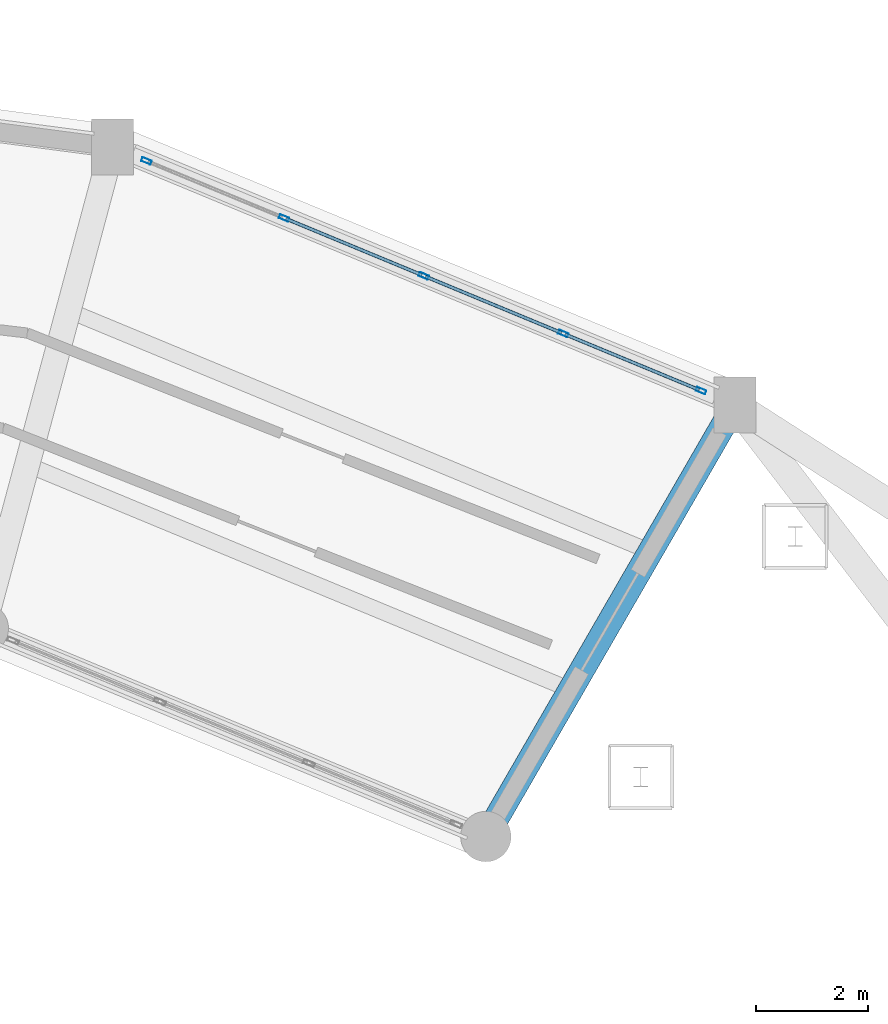
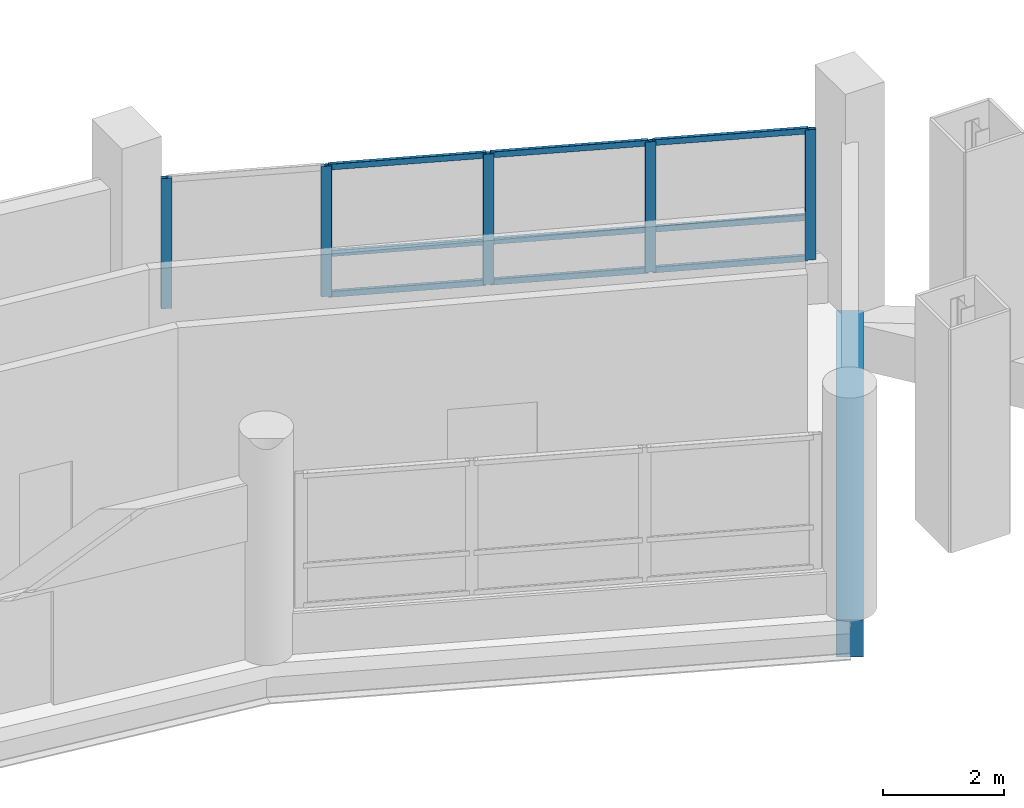
# One storey, part 64 of 129: 14 members, 1 beam, 1 element without a shape of its own.
"""IFC4 building model written with IfcOpenShell, lengths in metres."""

from ifc_helpers import new_model, si_unit, direction, frame, origin, origin_2d, place, context, subcontext, project, spatial, rectangle, hollow_rectangle, extrude, material, layer, layer_set, material_profile, profile_set, type_object, element, aggregate, save


model = new_model("IFC4")

# Units and contexts
model_context = context("Model", 3, precision=1e-05, world=origin(), true_north=direction((0.0, 1.0)))
body_context = subcontext(model_context, "Body", "Model", "MODEL_VIEW")
ifc_project = project(units=[si_unit("LENGTHUNIT", "METRE"), si_unit("AREAUNIT", "SQUARE_METRE"), si_unit("VOLUMEUNIT", "CUBIC_METRE"), si_unit("PLANEANGLEUNIT", "RADIAN"), si_unit("MASSUNIT", "GRAM", prefix="KILO")], contexts=[model_context])

# Site, building, storey
site_placement = place(None, origin())
site = spatial("IfcSite", under=ifc_project, at=site_placement, CompositionType="ELEMENT")
building_placement = place(site_placement, origin())
building = spatial("IfcBuilding", under=site, at=building_placement, Name="Vespera Passage Community Centre", CompositionType="ELEMENT")
storey_placement = place(building_placement, origin())
storey = spatial("IfcBuildingStorey", under=building, at=storey_placement, Name="L00", CompositionType="ELEMENT", Elevation=0.0)

# Beam
ifc_material_1 = material(Name="Concrete f'c 35 MPa", Category="concrete")
ifc_material_profile_1 = material_profile(ifc_material_1, rectangle(XDim=0.449951171875, YDim=0.75, at=origin_2d()), Name="RC450X750")
ifc_profile_set_1 = profile_set([ifc_material_profile_1], Name="Concrete f'c 35 MPa")
beam_type = type_object("IfcBeamType", Name="BM-G-450X750", PredefinedType="BEAM", material=ifc_profile_set_1)
beam_placement = place(storey_placement, frame((96.60009765625, 97.716064453125, -0.655029296875), z_axis=(0.499989191739, 0.866031643847, 0.0), x_axis=(-0.866031643847, 0.499989191739, 0.0)))
element("IfcBeam", 1, at=beam_placement, inside=storey, type_object=beam_type, Name="V4 L00 Radial Girder 4", PredefinedType="BEAM", context=body_context, shape_type="SweptSolid", body=[
    extrude(rectangle(XDim=0.449951171875, YDim=0.75, at=origin_2d()), origin(), (0.0, 0.0, 1.0), 8.900146484375),
])

# Curtain wall, members
ifc_material_2 = material(Name="Anodized aluminium 6063-T6", Category="aluminium")
ifc_layer = layer(ifc_material_2, 0.159912109375)
ifc_layer_set = layer_set([ifc_layer], Name="Anodized aluminium 6063-T6")
curtain_wall_type = type_object("IfcCurtainWallType", Name="CW-01E", PredefinedType="NOTDEFINED", material=ifc_layer_set)
curtain_wall_placement = place(storey_placement, origin())
curtain_wall = element("IfcCurtainWall", 2, at=curtain_wall_placement, inside=storey, type_object=curtain_wall_type, Name="V4 L00 Outer Ribbon Curtain Wall 4", PredefinedType="NOTDEFINED")
ifc_material_3 = material(Name="Anodized aluminium 6063-T6", Category="aluminium")
ifc_material_profile_2 = material_profile(ifc_material_3, hollow_rectangle(XDim=0.074951171875, YDim=0.179931640625, WallThickness=0.0048828125, InnerFilletRadius=0.00244140625, OuterFilletRadius=0.0048828125, at=origin_2d()), Name="ALU180X75X5")
ifc_profile_set_2 = profile_set([ifc_material_profile_2], Name="Anodized aluminium 6063-T6")
member_type_1 = type_object("IfcMemberType", Name="MB-CWM-180E", PredefinedType="MULLION", material=ifc_profile_set_2)
member_1_placement = place(storey_placement, frame((90.539794921875, 109.77734375, 0.820068359375), z_axis=(0.0, 0.0, 1.0), x_axis=(0.382682936255, 0.923879738007, 0.0)))
member_1 = element("IfcMember", 3, at=member_1_placement, type_object=member_type_1, Name="CW-01E mullion 1", PredefinedType="MULLION", context=body_context, shape_type="SweptSolid", body=[
    extrude(hollow_rectangle(XDim=0.074951171875, YDim=0.179931640625, WallThickness=0.0048828125, InnerFilletRadius=0.00244140625, OuterFilletRadius=0.0048828125, at=origin_2d()), origin(), (0.0, 0.0, 1.0), 2.62548828125),
])
member_2_placement = place(storey_placement, frame((92.998046875, 108.759033203125, 0.820068359375), z_axis=(0.0, 0.0, 1.0), x_axis=(0.382682936255, 0.923879738007, 0.0)))
member_2 = element("IfcMember", 4, at=member_2_placement, type_object=member_type_1, Name="CW-01E mullion 2", PredefinedType="MULLION", context=body_context, shape_type="SweptSolid", body=[
    extrude(hollow_rectangle(XDim=0.074951171875, YDim=0.179931640625, WallThickness=0.0048828125, InnerFilletRadius=0.00244140625, OuterFilletRadius=0.0048828125, at=origin_2d()), origin(), (0.0, 0.0, 1.0), 2.62548828125),
])
member_3_placement = place(storey_placement, frame((95.49072265625, 107.7265625, 0.820068359375), z_axis=(0.0, 0.0, 1.0), x_axis=(0.382682936255, 0.923879738007, 0.0)))
member_3 = element("IfcMember", 5, at=member_3_placement, type_object=member_type_1, Name="CW-01E mullion 3", PredefinedType="MULLION", context=body_context, shape_type="SweptSolid", body=[
    extrude(hollow_rectangle(XDim=0.074951171875, YDim=0.179931640625, WallThickness=0.0048828125, InnerFilletRadius=0.00244140625, OuterFilletRadius=0.0048828125, at=origin_2d()), origin(), (0.0, 0.0, 1.0), 2.62548828125),
])
member_4_placement = place(storey_placement, frame((97.983642578125, 106.69384765625, 0.820068359375), z_axis=(0.0, 0.0, 1.0), x_axis=(0.382682936255, 0.923879738007, 0.0)))
member_4 = element("IfcMember", 6, at=member_4_placement, type_object=member_type_1, Name="CW-01E mullion 4", PredefinedType="MULLION", context=body_context, shape_type="SweptSolid", body=[
    extrude(hollow_rectangle(XDim=0.074951171875, YDim=0.179931640625, WallThickness=0.0048828125, InnerFilletRadius=0.00244140625, OuterFilletRadius=0.0048828125, at=origin_2d()), origin(), (0.0, 0.0, 1.0), 2.62548828125),
])
member_5_placement = place(storey_placement, frame((100.441650390625, 105.67578125, 0.820068359375), z_axis=(0.0, 0.0, 1.0), x_axis=(0.382682936255, 0.923879738007, 0.0)))
member_5 = element("IfcMember", 7, at=member_5_placement, type_object=member_type_1, Name="CW-01E mullion 5", PredefinedType="MULLION", context=body_context, shape_type="SweptSolid", body=[
    extrude(hollow_rectangle(XDim=0.074951171875, YDim=0.179931640625, WallThickness=0.0048828125, InnerFilletRadius=0.00244140625, OuterFilletRadius=0.0048828125, at=origin_2d()), origin(), (0.0, 0.0, 1.0), 2.62548828125),
])
ifc_material_4 = material(Name="Anodized aluminium 6063-T6", Category="aluminium")
ifc_material_profile_3 = material_profile(ifc_material_4, hollow_rectangle(XDim=0.06005859375, YDim=0.1201171875, WallThickness=0.00390625, InnerFilletRadius=0.001953125, OuterFilletRadius=0.00390625, at=origin_2d()), Name="ALU120X60X4")
ifc_profile_set_3 = profile_set([ifc_material_profile_3], Name="Anodized aluminium 6063-T6")
member_type_2 = type_object("IfcMemberType", Name="MB-CWT-120E", PredefinedType="USERDEFINED", material=ifc_profile_set_3)
member_6_placement = place(storey_placement, frame((93.03271484375, 108.74462890625, 0.85009765625), z_axis=(0.92389545334, -0.382644993822, 0.0), x_axis=(0.382644993822, 0.92389545334, 0.0)))
member_6 = element("IfcMember", 8, at=member_6_placement, type_object=member_type_2, Name="CW-01E transom 2.1", ObjectType="TRANSOM", PredefinedType="USERDEFINED", context=body_context, shape_type="SweptSolid", body=[
    extrude(hollow_rectangle(XDim=0.06005859375, YDim=0.1201171875, WallThickness=0.00390625, InnerFilletRadius=0.001953125, OuterFilletRadius=0.00390625, at=origin_2d()), origin(), (0.0, 0.0, 1.0), 2.623046875),
])
member_7_placement = place(storey_placement, frame((93.03271484375, 108.74462890625, 1.669921875), z_axis=(0.92389545334, -0.382644993822, 0.0), x_axis=(0.382644993822, 0.92389545334, 0.0)))
member_7 = element("IfcMember", 9, at=member_7_placement, type_object=member_type_2, Name="CW-01E transom 2.2", ObjectType="TRANSOM", PredefinedType="USERDEFINED", context=body_context, shape_type="SweptSolid", body=[
    extrude(hollow_rectangle(XDim=0.06005859375, YDim=0.1201171875, WallThickness=0.00390625, InnerFilletRadius=0.001953125, OuterFilletRadius=0.00390625, at=origin_2d()), origin(), (0.0, 0.0, 1.0), 2.623046875),
])
member_8_placement = place(storey_placement, frame((93.03271484375, 108.74462890625, 3.41552734375), z_axis=(0.92389545334, -0.382644993822, 0.0), x_axis=(0.382644993822, 0.92389545334, 0.0)))
member_8 = element("IfcMember", 10, at=member_8_placement, type_object=member_type_2, Name="CW-01E transom 2.3", ObjectType="TRANSOM", PredefinedType="USERDEFINED", context=body_context, shape_type="SweptSolid", body=[
    extrude(hollow_rectangle(XDim=0.06005859375, YDim=0.1201171875, WallThickness=0.00390625, InnerFilletRadius=0.001953125, OuterFilletRadius=0.00390625, at=origin_2d()), origin(), (0.0, 0.0, 1.0), 2.623046875),
])
member_9_placement = place(storey_placement, frame((95.525390625, 107.712158203125, 0.85009765625), z_axis=(0.92387617736, -0.382691532316, 0.0), x_axis=(0.382691532316, 0.92387617736, 0.0)))
member_9 = element("IfcMember", 11, at=member_9_placement, type_object=member_type_2, Name="CW-01E transom 3.1", ObjectType="TRANSOM", PredefinedType="USERDEFINED", context=body_context, shape_type="SweptSolid", body=[
    extrude(hollow_rectangle(XDim=0.06005859375, YDim=0.1201171875, WallThickness=0.00390625, InnerFilletRadius=0.001953125, OuterFilletRadius=0.00390625, at=origin_2d()), origin(), (0.0, 0.0, 1.0), 2.623291015625),
])
member_10_placement = place(storey_placement, frame((95.525390625, 107.712158203125, 1.669921875), z_axis=(0.92387617736, -0.382691532316, 0.0), x_axis=(0.382691532316, 0.92387617736, 0.0)))
member_10 = element("IfcMember", 12, at=member_10_placement, type_object=member_type_2, Name="CW-01E transom 3.2", ObjectType="TRANSOM", PredefinedType="USERDEFINED", context=body_context, shape_type="SweptSolid", body=[
    extrude(hollow_rectangle(XDim=0.06005859375, YDim=0.1201171875, WallThickness=0.00390625, InnerFilletRadius=0.001953125, OuterFilletRadius=0.00390625, at=origin_2d()), origin(), (0.0, 0.0, 1.0), 2.623291015625),
])
member_11_placement = place(storey_placement, frame((95.525390625, 107.712158203125, 3.41552734375), z_axis=(0.92387617736, -0.382691532316, 0.0), x_axis=(0.382691532316, 0.92387617736, 0.0)))
member_11 = element("IfcMember", 13, at=member_11_placement, type_object=member_type_2, Name="CW-01E transom 3.3", ObjectType="TRANSOM", PredefinedType="USERDEFINED", context=body_context, shape_type="SweptSolid", body=[
    extrude(hollow_rectangle(XDim=0.06005859375, YDim=0.1201171875, WallThickness=0.00390625, InnerFilletRadius=0.001953125, OuterFilletRadius=0.00390625, at=origin_2d()), origin(), (0.0, 0.0, 1.0), 2.623291015625),
])
member_12_placement = place(storey_placement, frame((98.018310546875, 106.6796875, 0.85009765625), z_axis=(0.923882193286, -0.382677008624, 0.0), x_axis=(0.382677008624, 0.923882193286, 0.0)))
member_12 = element("IfcMember", 14, at=member_12_placement, type_object=member_type_2, Name="CW-01E transom 4.1", ObjectType="TRANSOM", PredefinedType="USERDEFINED", context=body_context, shape_type="SweptSolid", body=[
    extrude(hollow_rectangle(XDim=0.06005859375, YDim=0.1201171875, WallThickness=0.00390625, InnerFilletRadius=0.001953125, OuterFilletRadius=0.00390625, at=origin_2d()), origin(), (0.0, 0.0, 1.0), 2.585693359375),
])
member_13_placement = place(storey_placement, frame((98.018310546875, 106.6796875, 1.669921875), z_axis=(0.923882193286, -0.382677008624, 0.0), x_axis=(0.382677008624, 0.923882193286, 0.0)))
member_13 = element("IfcMember", 15, at=member_13_placement, type_object=member_type_2, Name="CW-01E transom 4.2", ObjectType="TRANSOM", PredefinedType="USERDEFINED", context=body_context, shape_type="SweptSolid", body=[
    extrude(hollow_rectangle(XDim=0.06005859375, YDim=0.1201171875, WallThickness=0.00390625, InnerFilletRadius=0.001953125, OuterFilletRadius=0.00390625, at=origin_2d()), origin(), (0.0, 0.0, 1.0), 2.585693359375),
])
member_14_placement = place(storey_placement, frame((98.018310546875, 106.6796875, 3.41552734375), z_axis=(0.923882193286, -0.382677008624, 0.0), x_axis=(0.382677008624, 0.923882193286, 0.0)))
member_14 = element("IfcMember", 16, at=member_14_placement, type_object=member_type_2, Name="CW-01E transom 4.3", ObjectType="TRANSOM", PredefinedType="USERDEFINED", context=body_context, shape_type="SweptSolid", body=[
    extrude(hollow_rectangle(XDim=0.06005859375, YDim=0.1201171875, WallThickness=0.00390625, InnerFilletRadius=0.001953125, OuterFilletRadius=0.00390625, at=origin_2d()), origin(), (0.0, 0.0, 1.0), 2.585693359375),
])
aggregate(curtain_wall, [member_1, member_2, member_3, member_4, member_5, member_6, member_7, member_8, member_9, member_10, member_11, member_12, member_13, member_14])

save(model, "model.ifc")
